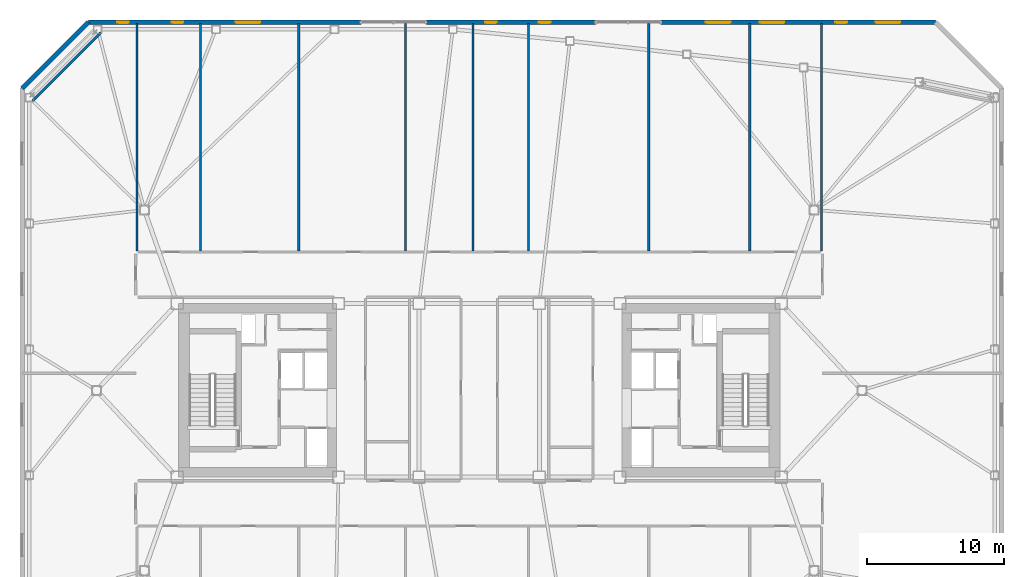
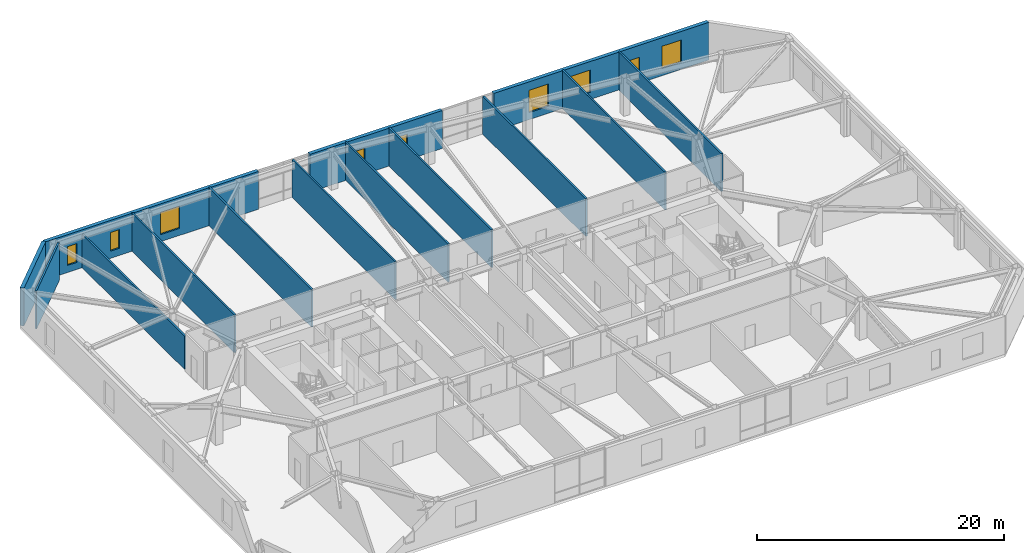
# One storey, part 13 of 18: 14 walls, 9 windows, 9 openings.
"""IFC4 building model written with IfcOpenShell, lengths in metres."""

from ifc_helpers import new_model, si_unit, direction, frame, frame_2d, origin, place, context, subcontext, project, spatial, rectangle, extrude, material, layer, layer_set, type_object, element, fill, save


model = new_model("IFC4")

# Units and contexts
model_context = context("Model", 3, precision=1e-05, world=origin(), true_north=direction((0.0, 1.0)))
body_context = subcontext(model_context, "Body", "Model", "MODEL_VIEW")
ifc_project = project(units=[si_unit("LENGTHUNIT", "METRE"), si_unit("AREAUNIT", "SQUARE_METRE"), si_unit("VOLUMEUNIT", "CUBIC_METRE"), si_unit("PLANEANGLEUNIT", "RADIAN"), si_unit("MASSUNIT", "GRAM", prefix="KILO")], contexts=[model_context])

# Site, building, storey
site_placement = place(None, origin())
site = spatial("IfcSite", under=ifc_project, at=site_placement, CompositionType="ELEMENT")
building_placement = place(site_placement, origin())
building = spatial("IfcBuilding", under=site, at=building_placement, Name="Tavrogorsk Clinical Tower", CompositionType="ELEMENT")
storey_placement = place(building_placement, frame((0.0, 0.0, 196.199951171875)))
storey = spatial("IfcBuildingStorey", under=building, at=storey_placement, Name="L45", CompositionType="ELEMENT", Elevation=196.199951171875)

# Walls
ifc_material_1 = material(Name="Lightweight concrete blockwork B15", Category="masonry")
ifc_layer_1 = layer(ifc_material_1, 0.159912109375)
ifc_layer_set_1 = layer_set([ifc_layer_1], Name="Lightweight concrete blockwork B15")
wall_type_1 = type_object("IfcWallType", Name="PartitionWall_160", PredefinedType="PARTITIONING", material=ifc_layer_set_1)
wall_1_placement = place(storey_placement, frame((-27.6796875, 26.1796875, 0.0), z_axis=(0.0, 0.0, 1.0), x_axis=(-0.707106781187, -0.707106781187, 0.0)))
element("IfcWall", 1, at=wall_1_placement, inside=storey, type_object=wall_type_1, Name="L45 Corner Exoskeleton Brace Furring Wall 3", PredefinedType="PARTITIONING", context=body_context, shape_type="SweptSolid", body=[
    extrude(rectangle(XDim=7.071044921875, YDim=0.159912109375, at=frame_2d((3.53564453125, 0.0))), origin(), (0.0, 0.0, 1.0), 3.739990234375),
])
wall_2_placement = place(storey_placement, frame((-25.050048828125, 10.215087890625, 0.0), z_axis=(0.0, 0.0, 1.0), x_axis=(0.0, 1.0, 0.0)))
element("IfcWall", 2, at=wall_2_placement, inside=storey, type_object=wall_type_1, Name="L45 NW Wing Closure Partition", PredefinedType="PARTITIONING", context=body_context, shape_type="SweptSolid", body=[
    extrude(rectangle(XDim=16.64501953125, YDim=0.159912109375, at=frame_2d((8.322509765625, 0.0))), origin(), (0.0, 0.0, 1.0), 3.28515625),
])
for number, where, z_axis, x_axis, name in (
    (3, (25.050048828125, 10.215087890625, 0.0), (0.0, 0.0, 1.0), (0.0, 1.0, 0.0), "L45 NE Wing Closure Partition"),
    (4, (-20.39990234375, 10.215087890625, 0.0), (0.0, 0.0, 1.0), (0.0, 1.0, 0.0), "L45 North Room Partition 1"),
    (5, (-13.199951171875, 10.215087890625, 0.0), (0.0, 0.0, 1.0), (0.0, 1.0, 0.0), "L45 North Room Partition 2"),
    (6, (-5.39990234375, 10.215087890625, 0.0), (0.0, 0.0, 1.0), (0.0, 1.0, 0.0), "L45 North Room Partition 3"),
    (7, (3.60009765625, 10.215087890625, 0.0), (0.0, 0.0, 1.0), (0.0, 1.0, 0.0), "L45 North Room Partition 4"),
    (8, (12.39990234375, 10.215087890625, 0.0), (0.0, 0.0, 1.0), (0.0, 1.0, 0.0), "L45 North Room Partition 5"),
    (9, (19.800048828125, 10.215087890625, 0.0), (0.0, 0.0, 1.0), (0.0, 1.0, 0.0), "L45 North Room Partition 6"),
    (10, (-0.449951171875, 10.215087890625, 0.0), (0.0, 0.0, 1.0), (0.0, 1.0, 0.0), "L45 North Sub-Partition 4"),
):
    element("IfcWall", number, at=place(storey_placement, frame(where, z_axis=z_axis, x_axis=x_axis)), inside=storey, type_object=wall_type_1, Name=name, PredefinedType="PARTITIONING", context=body_context, shape_type="SweptSolid", body=[
        extrude(rectangle(XDim=16.64501953125, YDim=0.159912109375, at=frame_2d((8.322509765625, 0.0))), origin(), (0.0, 0.0, 1.0), 3.739990234375),
    ])

# Wall, openings, windows
ifc_material_2 = material(Name="Precast concrete B45 with limestone cladding", Category="masonry")
ifc_layer_2 = layer(ifc_material_2, 0.340087890625)
ifc_layer_set_2 = layer_set([ifc_layer_2], Name="Precast concrete B45 with limestone cladding")
wall_type_2 = type_object("IfcWallType", Name="PrecastLimestoneWall_340", PredefinedType="STANDARD", material=ifc_layer_set_2)
wall_3_placement = place(storey_placement, frame((33.39990234375, 26.929931640625, 0.0), z_axis=(0.0, 0.0, 1.0), x_axis=(-1.0, 0.0, 0.0)))
wall_3 = element("IfcWall", 11, at=wall_3_placement, inside=storey, type_object=wall_type_2, Name="L45 N Limestone Facade Wall 1", PredefinedType="STANDARD", context=body_context, shape_type="SweptSolid", body=[
    extrude(rectangle(XDim=20.08984375, YDim=0.340087890625, at=frame_2d((10.044921875, 0.0))), origin(), (0.0, 0.0, 1.0), 3.739990234375),
])
opening_1_placement = place(wall_3_placement, frame((15.0048828125, 0.0, 0.699951171875)))
opening_1 = element("IfcOpeningElement", 12, at=opening_1_placement, cuts=wall_3, Name="Opening WN-04", PredefinedType="OPENING", context=body_context, shape_type="SweptSolid", body=[
    extrude(rectangle(XDim=1.800048828125, YDim=2.199951171875, at=frame_2d((0.89990234375, 1.10009765625))), frame((0.0, 0.179931640625, 0.0), z_axis=(0.0, -1.0, 0.0), x_axis=(1.0, 0.0, 0.0)), (0.0, 0.0, 1.0), 0.360107421875),
])
opening_2_placement = place(wall_3_placement, frame((11.0712890625, 0.0, 0.699951171875)))
opening_2 = element("IfcOpeningElement", 13, at=opening_2_placement, cuts=wall_3, Name="Opening WN-04", PredefinedType="OPENING", context=body_context, shape_type="SweptSolid", body=[
    extrude(rectangle(XDim=1.800048828125, YDim=2.199951171875, at=frame_2d((0.89990234375, 1.10009765625))), frame((0.0, 0.179931640625, 0.0), z_axis=(0.0, -1.0, 0.0), x_axis=(1.0, 0.0, 0.0)), (0.0, 0.0, 1.0), 0.360107421875),
])
opening_3_placement = place(wall_3_placement, frame((6.479736328125, 0.0, 0.699951171875)))
opening_3 = element("IfcOpeningElement", 14, at=opening_3_placement, cuts=wall_3, Name="Opening WN-06", PredefinedType="OPENING", context=body_context, shape_type="SweptSolid", body=[
    extrude(rectangle(XDim=0.85009765625, YDim=1.85009765625, at=frame_2d((0.425048828125, 0.925048828125))), frame((0.0, 0.179931640625, 0.0), z_axis=(0.0, -1.0, 0.0), x_axis=(1.0, 0.0, 0.0)), (0.0, 0.0, 1.0), 0.360107421875),
])
opening_4_placement = place(wall_3_placement, frame((2.591064453125, 0.0, 0.699951171875)))
opening_4 = element("IfcOpeningElement", 15, at=opening_4_placement, cuts=wall_3, Name="Opening WN-04", PredefinedType="OPENING", context=body_context, shape_type="SweptSolid", body=[
    extrude(rectangle(XDim=1.800048828125, YDim=2.199951171875, at=frame_2d((0.89990234375, 1.10009765625))), frame((0.0, 0.179931640625, 0.0), z_axis=(0.0, -1.0, 0.0), x_axis=(1.0, 0.0, 0.0)), (0.0, 0.0, 1.0), 0.360107421875),
])
ifc_material_3 = material(Name="Thermally broken aluminium frame and triple IGU", Category="aluminium")
window_type_1 = type_object("IfcWindowType", Name="IsolationWin_1800x2200", PartitioningType="SINGLE_PANEL", PredefinedType="WINDOW", material=ifc_material_3)
window_1_placement = place(opening_1_placement, origin())
window_1 = element("IfcWindow", 16, at=window_1_placement, inside=storey, type_object=window_type_1, Name="L45 N Chicago Window 07", OverallHeight=2.199951171875, OverallWidth=1.800048828125, PartitioningType="SINGLE_PANEL", PredefinedType="WINDOW", context=body_context, shape_type="SweptSolid", body=[
    extrude(rectangle(XDim=1.800048828125, YDim=2.199951171875, at=frame_2d((0.89990234375, 1.10009765625))), frame((0.0, 0.030029296875, 0.0), z_axis=(0.0, -1.0, 0.0), x_axis=(1.0, 0.0, 0.0)), (0.0, 0.0, 1.0), 0.06005859375),
])
fill(opening_1, window_1)
window_2_placement = place(opening_2_placement, origin())
window_2 = element("IfcWindow", 17, at=window_2_placement, inside=storey, type_object=window_type_1, Name="L45 N Chicago Window 08", OverallHeight=2.199951171875, OverallWidth=1.800048828125, PartitioningType="SINGLE_PANEL", PredefinedType="WINDOW", context=body_context, shape_type="SweptSolid", body=[
    extrude(rectangle(XDim=1.800048828125, YDim=2.199951171875, at=frame_2d((0.89990234375, 1.10009765625))), frame((0.0, 0.030029296875, 0.0), z_axis=(0.0, -1.0, 0.0), x_axis=(1.0, 0.0, 0.0)), (0.0, 0.0, 1.0), 0.06005859375),
])
fill(opening_2, window_2)
window_3_placement = place(opening_4_placement, origin())
window_3 = element("IfcWindow", 18, at=window_3_placement, inside=storey, type_object=window_type_1, Name="L45 N Chicago Window 10", OverallHeight=2.199951171875, OverallWidth=1.800048828125, PartitioningType="SINGLE_PANEL", PredefinedType="WINDOW", context=body_context, shape_type="SweptSolid", body=[
    extrude(rectangle(XDim=1.800048828125, YDim=2.199951171875, at=frame_2d((0.89990234375, 1.10009765625))), frame((0.0, 0.030029296875, 0.0), z_axis=(0.0, -1.0, 0.0), x_axis=(1.0, 0.0, 0.0)), (0.0, 0.0, 1.0), 0.06005859375),
])
fill(opening_4, window_3)
ifc_material_4 = material(Name="Thermally broken aluminium frame and triple IGU", Category="aluminium")
window_type_2 = type_object("IfcWindowType", Name="MullionSubWin_850x1850", PartitioningType="SINGLE_PANEL", PredefinedType="WINDOW", material=ifc_material_4)
window_4_placement = place(opening_3_placement, origin())
window_4 = element("IfcWindow", 19, at=window_4_placement, inside=storey, type_object=window_type_2, Name="L45 N Mullion Split Window 09A", OverallHeight=1.85009765625, OverallWidth=0.85009765625, PartitioningType="SINGLE_PANEL", PredefinedType="WINDOW", context=body_context, shape_type="SweptSolid", body=[
    extrude(rectangle(XDim=0.85009765625, YDim=1.85009765625, at=frame_2d((0.425048828125, 0.925048828125))), frame((0.0, 0.030029296875, 0.0), z_axis=(0.0, -1.0, 0.0), x_axis=(1.0, 0.0, 0.0)), (0.0, 0.0, 1.0), 0.06005859375),
])
fill(opening_3, window_4)

wall_4_placement = place(storey_placement, frame((8.510009765625, 26.929931640625, 0.0), z_axis=(0.0, 0.0, 1.0), x_axis=(-1.0, 0.0, 0.0)))
wall_4 = element("IfcWall", 20, at=wall_4_placement, inside=storey, type_object=wall_type_2, Name="L45 N Limestone Facade Wall 2", PredefinedType="STANDARD", context=body_context, shape_type="SweptSolid", body=[
    extrude(rectangle(XDim=12.372802734375, YDim=0.340087890625, at=frame_2d((6.1865234375, 0.0))), origin(), (0.0, 0.0, 1.0), 3.739990234375),
])
opening_5_placement = place(wall_4_placement, frame((7.228759765625, 0.0, 0.699951171875)))
opening_5 = element("IfcOpeningElement", 21, at=opening_5_placement, cuts=wall_4, Name="Opening WN-06", PredefinedType="OPENING", context=body_context, shape_type="SweptSolid", body=[
    extrude(rectangle(XDim=0.85009765625, YDim=1.85009765625, at=frame_2d((0.425048828125, 0.925048828125))), frame((0.0, 0.179931640625, 0.0), z_axis=(0.0, -1.0, 0.0), x_axis=(1.0, 0.0, 0.0)), (0.0, 0.0, 1.0), 0.360107421875),
])
opening_6_placement = place(wall_4_placement, frame((3.28857421875, 0.0, 0.699951171875)))
opening_6 = element("IfcOpeningElement", 22, at=opening_6_placement, cuts=wall_4, Name="Opening WN-06", PredefinedType="OPENING", context=body_context, shape_type="SweptSolid", body=[
    extrude(rectangle(XDim=0.85009765625, YDim=1.85009765625, at=frame_2d((0.425048828125, 0.925048828125))), frame((0.0, 0.179931640625, 0.0), z_axis=(0.0, -1.0, 0.0), x_axis=(1.0, 0.0, 0.0)), (0.0, 0.0, 1.0), 0.360107421875),
])
window_5_placement = place(opening_5_placement, origin())
window_5 = element("IfcWindow", 23, at=window_5_placement, inside=storey, type_object=window_type_2, Name="L45 N Mullion Split Window 05A", OverallHeight=1.85009765625, OverallWidth=0.85009765625, PartitioningType="SINGLE_PANEL", PredefinedType="WINDOW", context=body_context, shape_type="SweptSolid", body=[
    extrude(rectangle(XDim=0.85009765625, YDim=1.85009765625, at=frame_2d((0.425048828125, 0.925048828125))), frame((0.0, 0.030029296875, 0.0), z_axis=(0.0, -1.0, 0.0), x_axis=(1.0, 0.0, 0.0)), (0.0, 0.0, 1.0), 0.06005859375),
])
fill(opening_5, window_5)
window_6_placement = place(opening_6_placement, origin())
window_6 = element("IfcWindow", 24, at=window_6_placement, inside=storey, type_object=window_type_2, Name="L45 N Mullion Split Window 06A", OverallHeight=1.85009765625, OverallWidth=0.85009765625, PartitioningType="SINGLE_PANEL", PredefinedType="WINDOW", context=body_context, shape_type="SweptSolid", body=[
    extrude(rectangle(XDim=0.85009765625, YDim=1.85009765625, at=frame_2d((0.425048828125, 0.925048828125))), frame((0.0, 0.030029296875, 0.0), z_axis=(0.0, -1.0, 0.0), x_axis=(1.0, 0.0, 0.0)), (0.0, 0.0, 1.0), 0.06005859375),
])
fill(opening_6, window_6)

wall_5_placement = place(storey_placement, frame((-8.662841796875, 26.929931640625, 0.0), z_axis=(0.0, 0.0, 1.0), x_axis=(-1.0, 0.0, 0.0)))
wall_5 = element("IfcWall", 25, at=wall_5_placement, inside=storey, type_object=wall_type_2, Name="L45 N Limestone Facade Wall 3", PredefinedType="STANDARD", context=body_context, shape_type="SweptSolid", body=[
    extrude(rectangle(XDim=19.937255859375, YDim=0.340087890625, at=frame_2d((9.96875, 0.0))), origin(), (0.0, 0.0, 1.0), 3.739990234375),
])
opening_7_placement = place(wall_5_placement, frame((16.96826171875, 0.0, 0.699951171875)))
opening_7 = element("IfcOpeningElement", 26, at=opening_7_placement, cuts=wall_5, Name="Opening WN-06", PredefinedType="OPENING", context=body_context, shape_type="SweptSolid", body=[
    extrude(rectangle(XDim=0.85009765625, YDim=1.85009765625, at=frame_2d((0.425048828125, 0.925048828125))), frame((0.0, 0.179931640625, 0.0), z_axis=(0.0, -1.0, 0.0), x_axis=(1.0, 0.0, 0.0)), (0.0, 0.0, 1.0), 0.360107421875),
])
opening_8_placement = place(wall_5_placement, frame((12.9833984375, 0.0, 0.699951171875)))
opening_8 = element("IfcOpeningElement", 27, at=opening_8_placement, cuts=wall_5, Name="Opening WN-06", PredefinedType="OPENING", context=body_context, shape_type="SweptSolid", body=[
    extrude(rectangle(XDim=0.85009765625, YDim=1.85009765625, at=frame_2d((0.425048828125, 0.925048828125))), frame((0.0, 0.179931640625, 0.0), z_axis=(0.0, -1.0, 0.0), x_axis=(1.0, 0.0, 0.0)), (0.0, 0.0, 1.0), 0.360107421875),
])
opening_9_placement = place(wall_5_placement, frame((7.355224609375, 0.0, 0.699951171875)))
opening_9 = element("IfcOpeningElement", 28, at=opening_9_placement, cuts=wall_5, Name="Opening WN-04", PredefinedType="OPENING", context=body_context, shape_type="SweptSolid", body=[
    extrude(rectangle(XDim=1.800048828125, YDim=2.199951171875, at=frame_2d((0.89990234375, 1.10009765625))), frame((0.0, 0.179931640625, 0.0), z_axis=(0.0, -1.0, 0.0), x_axis=(1.0, 0.0, 0.0)), (0.0, 0.0, 1.0), 0.360107421875),
])
window_7_placement = place(opening_9_placement, origin())
window_7 = element("IfcWindow", 29, at=window_7_placement, inside=storey, type_object=window_type_1, Name="L45 N Chicago Window 03", OverallHeight=2.199951171875, OverallWidth=1.800048828125, PartitioningType="SINGLE_PANEL", PredefinedType="WINDOW", context=body_context, shape_type="SweptSolid", body=[
    extrude(rectangle(XDim=1.800048828125, YDim=2.199951171875, at=frame_2d((0.89990234375, 1.10009765625))), frame((0.0, 0.030029296875, 0.0), z_axis=(0.0, -1.0, 0.0), x_axis=(1.0, 0.0, 0.0)), (0.0, 0.0, 1.0), 0.06005859375),
])
fill(opening_9, window_7)
window_8_placement = place(opening_7_placement, origin())
window_8 = element("IfcWindow", 30, at=window_8_placement, inside=storey, type_object=window_type_2, Name="L45 N Mullion Split Window 01B", OverallHeight=1.85009765625, OverallWidth=0.85009765625, PartitioningType="SINGLE_PANEL", PredefinedType="WINDOW", context=body_context, shape_type="SweptSolid", body=[
    extrude(rectangle(XDim=0.85009765625, YDim=1.85009765625, at=frame_2d((0.425048828125, 0.925048828125))), frame((0.0, 0.030029296875, 0.0), z_axis=(0.0, -1.0, 0.0), x_axis=(1.0, 0.0, 0.0)), (0.0, 0.0, 1.0), 0.06005859375),
])
fill(opening_7, window_8)
window_9_placement = place(opening_8_placement, origin())
window_9 = element("IfcWindow", 31, at=window_9_placement, inside=storey, type_object=window_type_2, Name="L45 N Mullion Split Window 02B", OverallHeight=1.85009765625, OverallWidth=0.85009765625, PartitioningType="SINGLE_PANEL", PredefinedType="WINDOW", context=body_context, shape_type="SweptSolid", body=[
    extrude(rectangle(XDim=0.85009765625, YDim=1.85009765625, at=frame_2d((0.425048828125, 0.925048828125))), frame((0.0, 0.030029296875, 0.0), z_axis=(0.0, -1.0, 0.0), x_axis=(1.0, 0.0, 0.0)), (0.0, 0.0, 1.0), 0.06005859375),
])
fill(opening_8, window_9)

# Wall
wall_6_placement = place(storey_placement, frame((-28.60009765625, 26.929931640625, 0.0), z_axis=(0.0, 0.0, 1.0), x_axis=(-0.707106781187, -0.707106781187, 0.0)))
element("IfcWall", 32, at=wall_6_placement, inside=storey, type_object=wall_type_2, Name="L45 Chamfered Corner Wall 3", PredefinedType="STANDARD", context=body_context, shape_type="SweptSolid", body=[
    extrude(rectangle(XDim=6.830322265625, YDim=0.340087890625, at=frame_2d((3.4150390625, 0.0))), origin(), (0.0, 0.0, 1.0), 3.739990234375),
])

save(model, "model.ifc")
